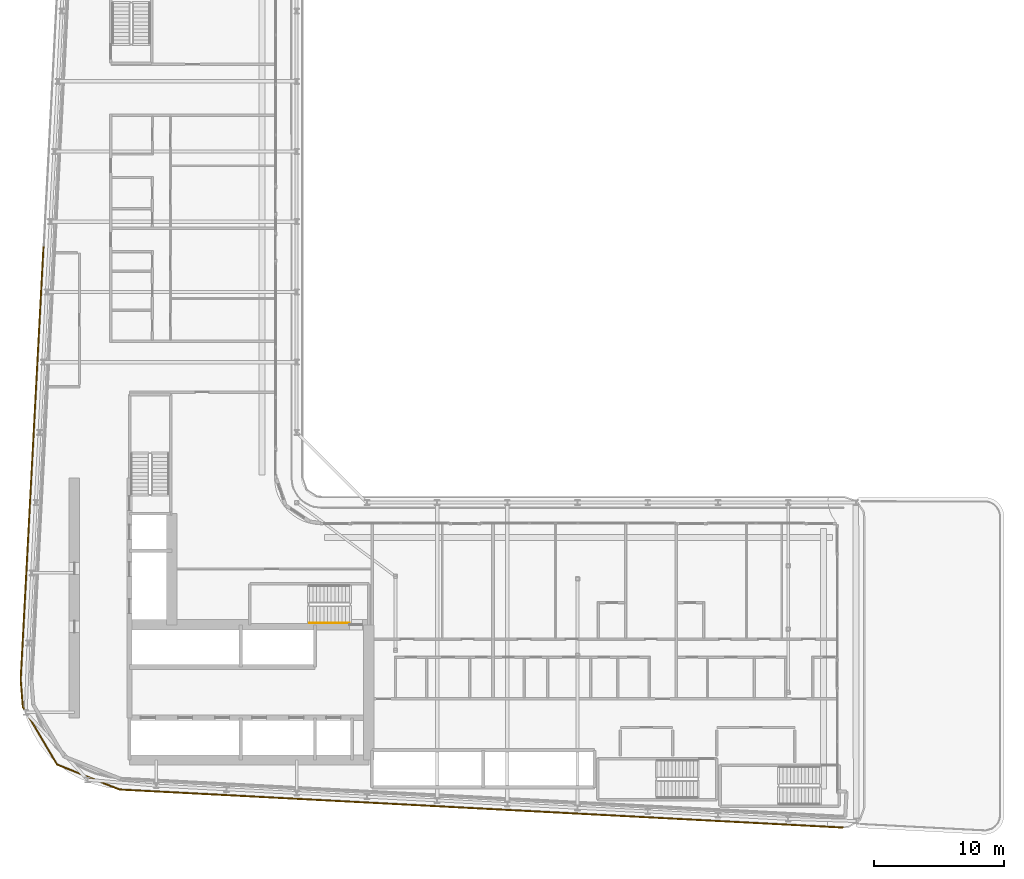
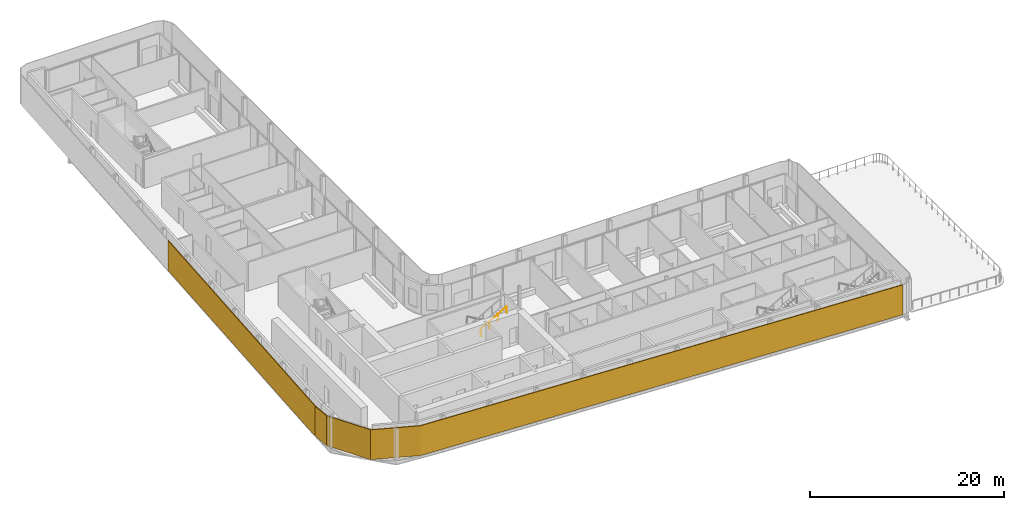
# One storey, part 20 of 27: 2 shading devices, 1 railing.
"""IFC4 building model written with IfcOpenShell, lengths in metres."""

from ifc_helpers import new_model, si_unit, direction, frame, origin, origin_2d, place, context, subcontext, project, spatial, polyline, rectangle, circle, outline, extrude, material, layer, layer_set, type_object, element, save


model = new_model("IFC4")

# Units and contexts
model_context = context("Model", 3, precision=1e-05, world=origin(), true_north=direction((0.0, 1.0)))
body_context = subcontext(model_context, "Body", "Model", "MODEL_VIEW")
ifc_project = project(units=[si_unit("LENGTHUNIT", "METRE"), si_unit("AREAUNIT", "SQUARE_METRE"), si_unit("VOLUMEUNIT", "CUBIC_METRE"), si_unit("PLANEANGLEUNIT", "RADIAN"), si_unit("MASSUNIT", "GRAM", prefix="KILO")], contexts=[model_context])

# Site, building, storey
site_placement = place(None, origin())
site = spatial("IfcSite", under=ifc_project, at=site_placement, CompositionType="ELEMENT")
building_placement = place(site_placement, origin())
building = spatial("IfcBuilding", under=site, at=building_placement, Name="Kheshtan School and Residences Tower", CompositionType="ELEMENT")
storey_placement = place(building_placement, frame((0.0, 0.0, 152.60009765625)))
storey = spatial("IfcBuildingStorey", under=building, at=storey_placement, Name="L35", CompositionType="ELEMENT", Elevation=152.60009765625)

# Shading devices
ifc_material_1 = material(Name="Terracotta baguette, extruded ceramic", Category="masonry")
ifc_layer = layer(ifc_material_1, 0.10009765625)
ifc_layer_set = layer_set([ifc_layer], Name="Ledge screen, terracotta baguettes")
shading_device_type = type_object("IfcShadingDeviceType", Name="Ledge screen, terracotta baguettes", PredefinedType="USERDEFINED", material=ifc_layer_set)
shading_device_1_placement = place(storey_placement, origin())
element("IfcShadingDevice", 1, at=shading_device_1_placement, inside=storey, type_object=shading_device_type, Name="Screen L35 3", ObjectType="BAGUETTE", PredefinedType="USERDEFINED", context=body_context, shape_type="SweptSolid", body=[
    extrude(outline(polyline([(89.62109375, 20.652099609375), (33.989013671875, 23.580078125), (29.2119140625, 25.486083984375), (26.583984375, 29.906982421875), (26.419921875, 31.989013671875), (26.320068359375, 31.98095703125), (26.486083984375, 29.8759765625), (29.14306640625, 25.406005859375), (33.967041015625, 23.48095703125), (89.615966796875, 20.552001953125), (89.62109375, 20.652099609375)])), origin(), (0.0, 0.0, 1.0), 3.75),
])
shading_device_2_placement = place(storey_placement, frame((27.24609375, 48.638916015625, 0.0), z_axis=(0.0, 0.0, 1.0), x_axis=(0.052562536748, 0.998617634398, 0.0)))
element("IfcShadingDevice", 2, at=shading_device_2_placement, inside=storey, type_object=shading_device_type, Name="Screen L35 4", ObjectType="BAGUETTE", PredefinedType="USERDEFINED", context=body_context, shape_type="SweptSolid", body=[
    extrude(rectangle(XDim=33.341064453125, YDim=0.10009765625, at=origin_2d()), origin(), (0.0, 0.0, 1.0), 3.75),
])

# Railing
ifc_material_2 = material(Name="Stainless steel handrail", Category="steel")
railing_type = type_object("IfcRailingType", Name="Stair handrail 900", PredefinedType="HANDRAIL", material=ifc_material_2)
railing_placement = place(storey_placement, frame((48.570068359375, 36.35009765625, 2.1123046875)))
element("IfcRailing", 3, at=railing_placement, inside=storey, type_object=railing_type, Name="L35 ST1 stair handrail 2", PredefinedType="HANDRAIL", context=body_context, shape_type="SweptSolid", body=[
    extrude(circle(Radius=0.02392578125, at=origin_2d()), frame((0.0, 0.0, 0.8759765625), z_axis=(0.864873446163, 0.0, 0.501989962173), x_axis=(0.0, 1.0, 0.0)), (0.0, 0.0, 1.0), 3.56103515625),
    extrude(circle(Radius=0.02099609375, at=origin_2d()), origin(), (0.0, 0.0, 1.0), 0.851806640625),
    extrude(circle(Radius=0.02099609375, at=origin_2d()), frame((1.026611328125, 0.0, 0.595947265625)), (0.0, 0.0, 1.0), 0.851806640625),
    extrude(circle(Radius=0.02099609375, at=origin_2d()), frame((2.05322265625, 0.0, 1.191650390625)), (0.0, 0.0, 1.0), 0.851806640625),
    extrude(circle(Radius=0.02099609375, at=origin_2d()), frame((3.079833984375, 0.0, 1.78759765625)), (0.0, 0.0, 1.0), 0.851806640625),
])

save(model, "model.ifc")
